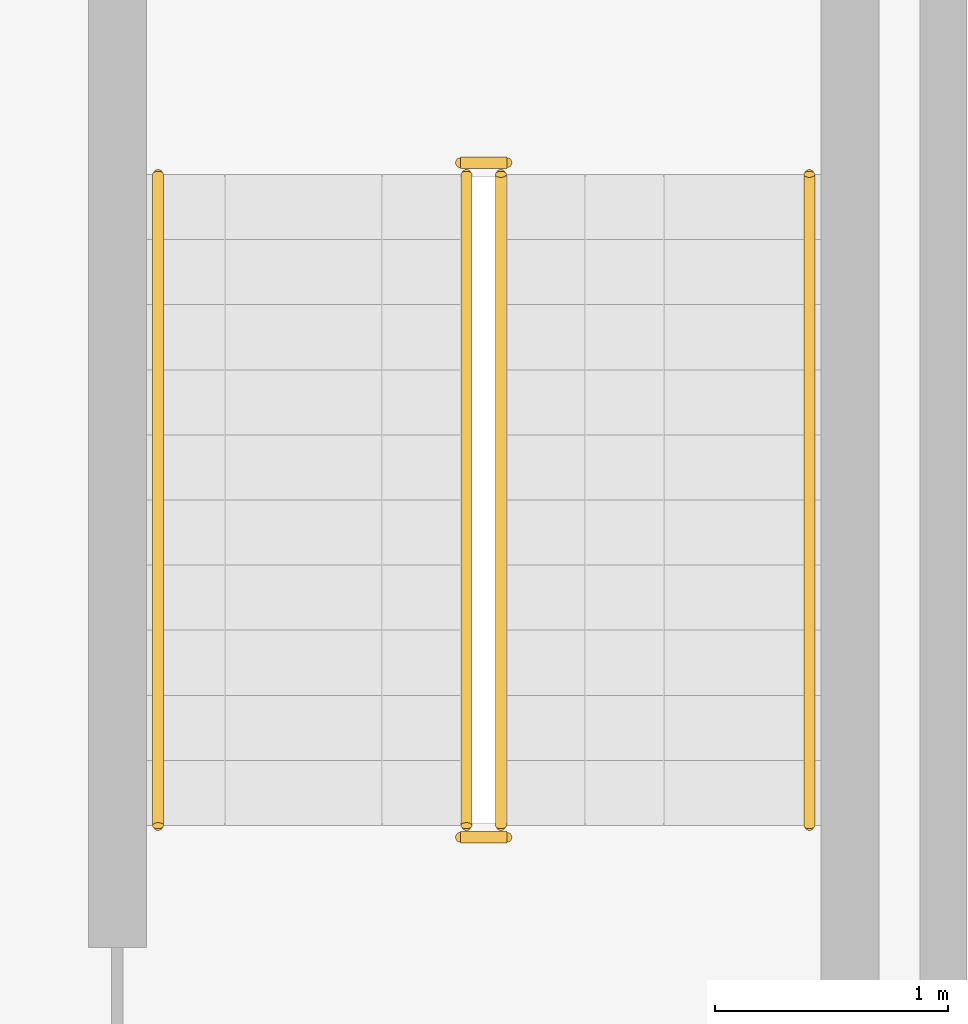
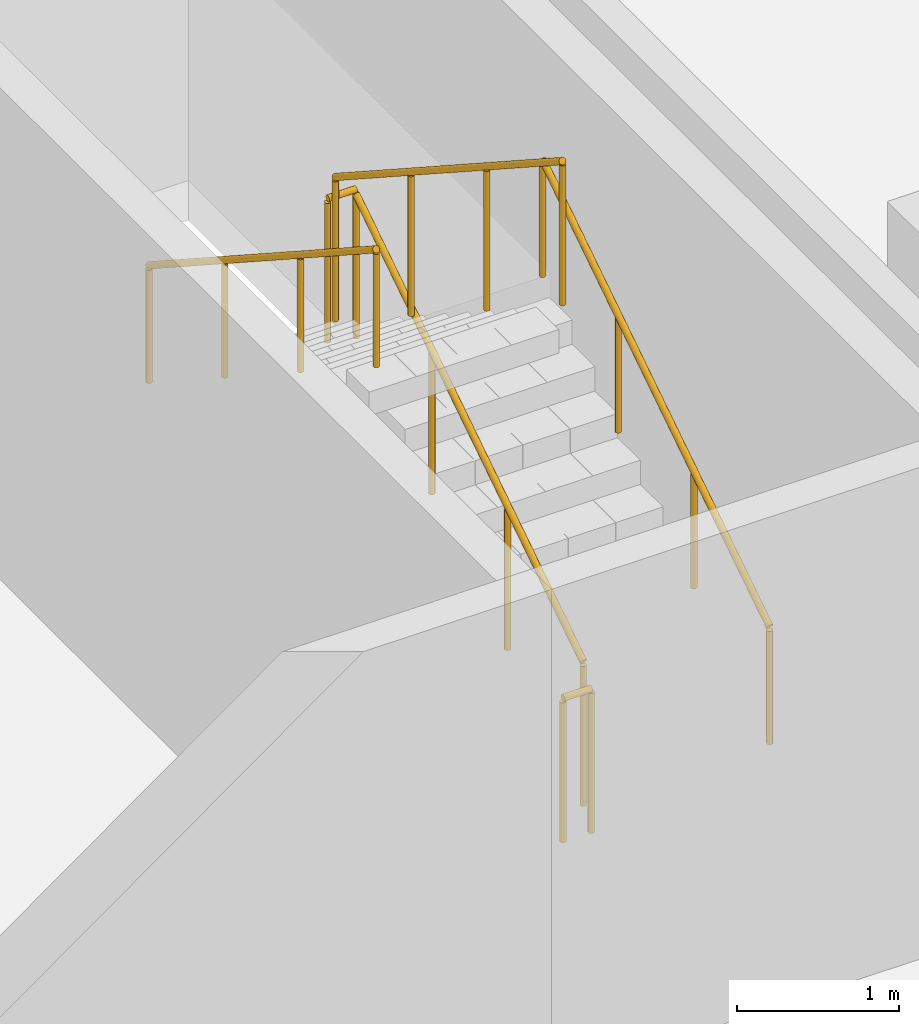
# One storey, part 18 of 18: 6 railings.
"""IFC4 building model written with IfcOpenShell, lengths in metres."""

from ifc_helpers import new_model, si_unit, direction, frame, origin, origin_2d, place, context, subcontext, project, spatial, circle, extrude, material, type_object, element, save


model = new_model("IFC4")

# Units and contexts
model_context = context("Model", 3, precision=1e-05, world=origin(), true_north=direction((0.0, 1.0)))
body_context = subcontext(model_context, "Body", "Model", "MODEL_VIEW")
ifc_project = project(units=[si_unit("LENGTHUNIT", "METRE"), si_unit("AREAUNIT", "SQUARE_METRE"), si_unit("VOLUMEUNIT", "CUBIC_METRE"), si_unit("PLANEANGLEUNIT", "RADIAN"), si_unit("MASSUNIT", "GRAM", prefix="KILO")], contexts=[model_context])

# Site, building, storey
site_placement = place(None, origin())
site = spatial("IfcSite", under=ifc_project, at=site_placement, CompositionType="ELEMENT")
building_placement = place(site_placement, origin())
building = spatial("IfcBuilding", under=site, at=building_placement, Name="Cantera Rosa Tower", CompositionType="ELEMENT")
storey_placement = place(building_placement, frame((0.0, 0.0, -9.0)))
storey = spatial("IfcBuildingStorey", under=building, at=storey_placement, Name="B2", CompositionType="ELEMENT", Elevation=-9.0)

# Railings
ifc_material_1 = material(Name="Steel S355J2 (EN 10025-2)", Category="steel")
railing_type_1 = type_object("IfcRailingType", Name="STAIR GUARD 1100", PredefinedType="GUARDRAIL", material=ifc_material_1)
railing_1_placement = place(storey_placement, frame((30.799072265625, 21.125, 0.181884765625)))
element("IfcRailing", 1, at=railing_1_placement, inside=storey, type_object=railing_type_1, Name="B2 ST-NE stair guard 1", PredefinedType="GUARDRAIL", context=body_context, shape_type="SweptSolid", body=[
    extrude(circle(Radius=0.02392578125, at=origin_2d()), frame((0.0, 0.0, 1.076171875), z_axis=(0.0, 0.838705829183, 0.544584733623), x_axis=(-1.0, 0.0, 0.0)), (0.0, 0.0, 1.0), 3.338623046875),
    extrude(circle(Radius=0.02099609375, at=origin_2d()), origin(), (0.0, 0.0, 1.0), 1.052001953125),
    extrude(circle(Radius=0.02099609375, at=origin_2d()), frame((0.0, 0.933349609375, 0.60595703125)), (0.0, 0.0, 1.0), 1.052001953125),
    extrude(circle(Radius=0.02099609375, at=origin_2d()), frame((0.0, 1.86669921875, 1.212158203125)), (0.0, 0.0, 1.0), 1.052001953125),
    extrude(circle(Radius=0.02099609375, at=origin_2d()), frame((0.0, 2.800048828125, 1.818115234375)), (0.0, 0.0, 1.0), 1.052001953125),
])
railing_2_placement = place(storey_placement, frame((30.824951171875, 23.97509765625, 2.0)))
element("IfcRailing", 2, at=railing_2_placement, inside=storey, type_object=railing_type_1, Name="B2 ST-NE stair guard 2", PredefinedType="GUARDRAIL", context=body_context, shape_type="SweptSolid", body=[
    extrude(circle(Radius=0.02392578125, at=origin_2d()), frame((0.0, 0.0, 1.076171875), z_axis=(-1.0, 0.0, 0.0), x_axis=(0.0, -1.0, 0.0)), (0.0, 0.0, 1.0), 0.199951171875),
    extrude(circle(Radius=0.02099609375, at=origin_2d()), origin(), (0.0, 0.0, 1.0), 1.052001953125),
    extrude(circle(Radius=0.02099609375, at=origin_2d()), frame((-0.199951171875, 0.0, 0.0)), (0.0, 0.0, 1.0), 1.052001953125),
])
railing_3_placement = place(storey_placement, frame((30.65087890625, 23.925048828125, 2.181884765625)))
element("IfcRailing", 3, at=railing_3_placement, inside=storey, type_object=railing_type_1, Name="B2 ST-NE stair guard 3", PredefinedType="GUARDRAIL", context=body_context, shape_type="SweptSolid", body=[
    extrude(circle(Radius=0.02392578125, at=origin_2d()), frame((0.0, 0.0, 1.076171875), z_axis=(0.0, -0.838705829183, 0.544584733623), x_axis=(1.0, 0.0, 0.0)), (0.0, 0.0, 1.0), 3.338623046875),
    extrude(circle(Radius=0.02099609375, at=origin_2d()), origin(), (0.0, 0.0, 1.0), 1.052001953125),
    extrude(circle(Radius=0.02099609375, at=origin_2d()), frame((0.0, -0.933349609375, 0.60595703125)), (0.0, 0.0, 1.0), 1.052001953125),
    extrude(circle(Radius=0.02099609375, at=origin_2d()), frame((0.0, -1.86669921875, 1.212158203125)), (0.0, 0.0, 1.0), 1.052001953125),
    extrude(circle(Radius=0.02099609375, at=origin_2d()), frame((0.0, -2.800048828125, 1.818115234375)), (0.0, 0.0, 1.0), 1.052001953125),
])
railing_4_placement = place(storey_placement, frame((30.824951171875, 21.074951171875, 0.0)))
element("IfcRailing", 4, at=railing_4_placement, inside=storey, type_object=railing_type_1, Name="B2 ST-NE stair guard 4", PredefinedType="GUARDRAIL", context=body_context, shape_type="SweptSolid", body=[
    extrude(circle(Radius=0.02392578125, at=origin_2d()), frame((0.0, 0.0, 1.076171875), z_axis=(-1.0, 0.0, 0.0), x_axis=(0.0, -1.0, 0.0)), (0.0, 0.0, 1.0), 0.199951171875),
    extrude(circle(Radius=0.02099609375, at=origin_2d()), origin(), (0.0, 0.0, 1.0), 1.052001953125),
    extrude(circle(Radius=0.02099609375, at=origin_2d()), frame((-0.199951171875, 0.0, 0.0)), (0.0, 0.0, 1.0), 1.052001953125),
])
ifc_material_2 = material(Name="Steel S355J2 (EN 10025-2)", Category="steel")
railing_type_2 = type_object("IfcRailingType", Name="STAIR HANDRAIL 900", PredefinedType="HANDRAIL", material=ifc_material_2)
railing_5_placement = place(storey_placement, frame((32.125, 21.125, 0.181884765625)))
element("IfcRailing", 5, at=railing_5_placement, inside=storey, type_object=railing_type_2, Name="B2 ST-NE stair handrail 1", PredefinedType="HANDRAIL", context=body_context, shape_type="SweptSolid", body=[
    extrude(circle(Radius=0.02392578125, at=origin_2d()), frame((0.0, 0.0, 0.8759765625), z_axis=(0.0, 0.838705829183, 0.544584733623), x_axis=(-1.0, 0.0, 0.0)), (0.0, 0.0, 1.0), 3.338623046875),
    extrude(circle(Radius=0.02099609375, at=origin_2d()), origin(), (0.0, 0.0, 1.0), 0.851806640625),
    extrude(circle(Radius=0.02099609375, at=origin_2d()), frame((0.0, 0.933349609375, 0.60595703125)), (0.0, 0.0, 1.0), 0.851806640625),
    extrude(circle(Radius=0.02099609375, at=origin_2d()), frame((0.0, 1.86669921875, 1.212158203125)), (0.0, 0.0, 1.0), 0.851806640625),
    extrude(circle(Radius=0.02099609375, at=origin_2d()), frame((0.0, 2.800048828125, 1.818115234375)), (0.0, 0.0, 1.0), 0.851806640625),
])
railing_6_placement = place(storey_placement, frame((29.324951171875, 23.925048828125, 2.181884765625)))
element("IfcRailing", 6, at=railing_6_placement, inside=storey, type_object=railing_type_2, Name="B2 ST-NE stair handrail 2", PredefinedType="HANDRAIL", context=body_context, shape_type="SweptSolid", body=[
    extrude(circle(Radius=0.02392578125, at=origin_2d()), frame((0.0, 0.0, 0.8759765625), z_axis=(0.0, -0.838705829183, 0.544584733623), x_axis=(1.0, 0.0, 0.0)), (0.0, 0.0, 1.0), 3.338623046875),
    extrude(circle(Radius=0.02099609375, at=origin_2d()), origin(), (0.0, 0.0, 1.0), 0.851806640625),
    extrude(circle(Radius=0.02099609375, at=origin_2d()), frame((0.0, -0.933349609375, 0.60595703125)), (0.0, 0.0, 1.0), 0.851806640625),
    extrude(circle(Radius=0.02099609375, at=origin_2d()), frame((0.0, -1.86669921875, 1.212158203125)), (0.0, 0.0, 1.0), 0.851806640625),
    extrude(circle(Radius=0.02099609375, at=origin_2d()), frame((0.0, -2.800048828125, 1.818115234375)), (0.0, 0.0, 1.0), 0.851806640625),
])

save(model, "model.ifc")
